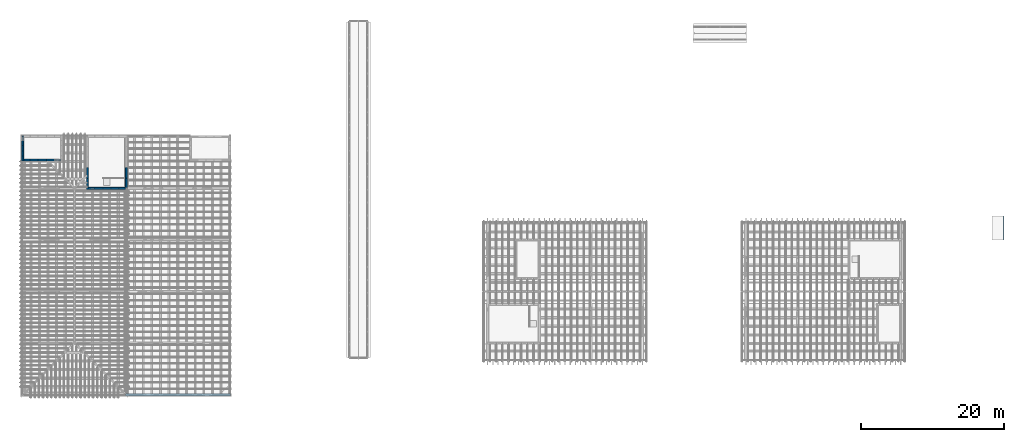
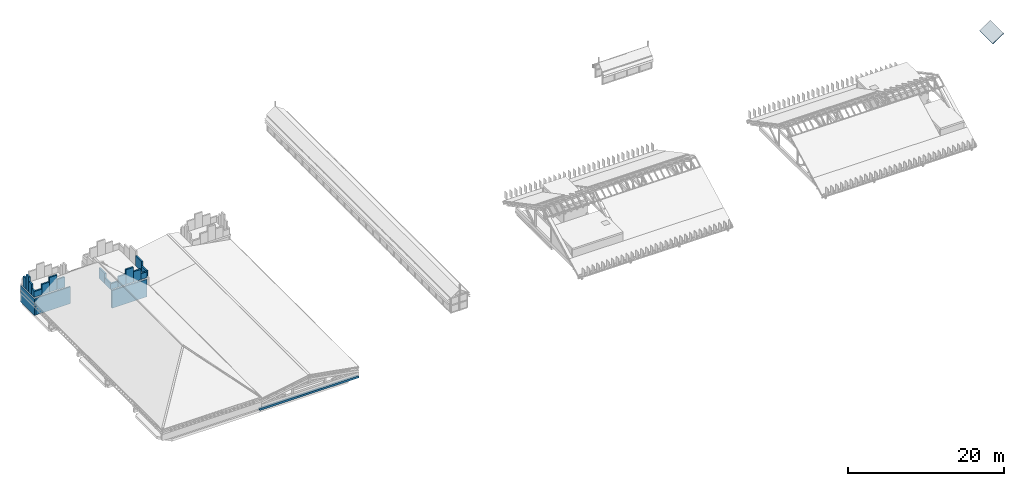
# One storey, part 16 of 28: 21 walls, 1 slab.
"""IFC4 building model written with IfcOpenShell, lengths in metres."""

from ifc_helpers import new_model, si_unit, direction, frame, frame_2d, origin, place, context, subcontext, project, spatial, polyline, rectangle, outline, extrude, material, layer, layer_set, type_object, element, save


model = new_model("IFC4")

# Units and contexts
model_context = context("Model", 3, precision=1e-05, world=origin(), true_north=direction((0.0, 1.0)))
body_context = subcontext(model_context, "Body", "Model", "MODEL_VIEW")
ifc_project = project(units=[si_unit("LENGTHUNIT", "METRE"), si_unit("AREAUNIT", "SQUARE_METRE"), si_unit("VOLUMEUNIT", "CUBIC_METRE"), si_unit("PLANEANGLEUNIT", "RADIAN"), si_unit("MASSUNIT", "GRAM", prefix="KILO")], contexts=[model_context])

# Site, building, storey
site_placement = place(None, origin())
site = spatial("IfcSite", under=ifc_project, at=site_placement, CompositionType="ELEMENT")
building_placement = place(site_placement, origin())
building = spatial("IfcBuilding", under=site, at=building_placement, Name="Mazhai Court Health Centre", CompositionType="ELEMENT")
storey_placement = place(building_placement, frame((0.0, 0.0, 18.0)))
storey = spatial("IfcBuildingStorey", under=building, at=storey_placement, Name="RF", CompositionType="ELEMENT", Elevation=18.0)

# Slab
ifc_material_1 = material(Name="CLT C24 3-ply", Category="wood")
ifc_layer_1 = layer(ifc_material_1, 0.10009765625)
ifc_layer_set_1 = layer_set([ifc_layer_1], Name="CLT C24 3-ply roof panel 100")
slab_type = type_object("IfcSlabType", Name="CLT C24 3-ply roof panel 100", PredefinedType="ROOF", material=ifc_layer_set_1)
slab_placement = place(storey_placement, frame((142.944091796875, 27.800048828125, 2.596923828125), z_axis=(-0.559163649154, 0.0, 0.82905730409), x_axis=(-0.82905730409, 0.0, -0.559163649154)))
element("IfcSlab", 1, at=slab_placement, inside=storey, type_object=slab_type, Name="Roof slab RV6-RS1", PredefinedType="ROOF", context=body_context, shape_type="SweptSolid", body=[
    extrude(outline(polyline([(0.0, 0.0), (1.9529900008276213, 0.0), (1.9529900008276213, -3.349853515625001), (0.0, -3.349853515625001), (0.0, 0.0)])), origin(), (0.0, 0.0, -1.0), 0.10009765625),
])

# Walls
ifc_material_2 = material(Name="Clay brick masonry", Category="masonry")
ifc_layer_2 = layer(ifc_material_2, 0.22998046875)
ifc_layer_set_2 = layer_set([ifc_layer_2], Name="BRICK PARAPET 230 EI 120")
wall_type_1 = type_object("IfcWallType", Name="BRICK PARAPET 230 EI 120", PredefinedType="SOLIDWALL", material=ifc_layer_set_2)
wall_1_placement = place(storey_placement, frame((15.18994140625, 34.875, 3.0), z_axis=(0.0, 0.0, 1.0), x_axis=(0.0, 1.0, 0.0)))
element("IfcWall", 2, at=wall_1_placement, inside=storey, type_object=wall_type_1, Name="PR-core-C3-head-house-slab-00", PredefinedType="SOLIDWALL", context=body_context, shape_type="SweptSolid", body=[
    extrude(rectangle(XDim=1.489990234375, YDim=0.22998046875, at=frame_2d((0.7451171875, 0.0))), origin(), (0.0, 0.0, 1.0), 0.89990234375),
])
for number, where, z_axis, x_axis, name in (
    (3, (15.18994140625, 36.364990234375, 3.0), (0.0, 0.0, 1.0), (0.0, 1.0, 0.0), "PR-core-C3-head-house-slab-01"),
    (4, (20.610107421875, 37.85498046875, 3.0), (0.0, 0.0, 1.0), (0.0, -1.0, 0.0), "PR-core-C3-head-house-slab-23"),
):
    element("IfcWall", number, at=place(storey_placement, frame(where, z_axis=z_axis, x_axis=x_axis)), inside=storey, type_object=wall_type_1, Name=name, PredefinedType="SOLIDWALL", context=body_context, shape_type="SweptSolid", body=[
        extrude(rectangle(XDim=1.489990234375, YDim=0.22998046875, at=frame_2d((0.7451171875, 0.0))), origin(), (0.0, 0.0, 1.0), 1.60009765625),
    ])
wall_2_placement = place(storey_placement, frame((20.610107421875, 36.364990234375, 3.0), z_axis=(0.0, 0.0, 1.0), x_axis=(0.0, -1.0, 0.0)))
element("IfcWall", 5, at=wall_2_placement, inside=storey, type_object=wall_type_1, Name="PR-core-C3-head-house-slab-24", PredefinedType="SOLIDWALL", context=body_context, shape_type="SweptSolid", body=[
    extrude(rectangle(XDim=1.260009765625, YDim=0.22998046875, at=frame_2d((0.6298828125, 0.0))), origin(), (0.0, 0.0, 1.0), 0.89990234375),
])
wall_3_placement = place(storey_placement, frame((20.4951171875, 34.989990234375, 3.0), z_axis=(0.0, 0.0, 1.0), x_axis=(-1.0, 0.0, 0.0)))
element("IfcWall", 6, at=wall_3_placement, inside=storey, type_object=wall_type_1, Name="PR-core-C3-head-house-slab-30", PredefinedType="SOLIDWALL", context=body_context, shape_type="SweptSolid", body=[
    extrude(rectangle(XDim=0.900146484375, YDim=0.22998046875, at=frame_2d((0.4501953125, 0.0))), origin(), (0.0, 0.0, 1.0), 0.89990234375),
])
wall_4_placement = place(storey_placement, frame((19.594970703125, 34.989990234375, 3.0), z_axis=(0.0, 0.0, 1.0), x_axis=(-1.0, 0.0, 0.0)))
element("IfcWall", 7, at=wall_4_placement, inside=storey, type_object=wall_type_1, Name="PR-core-C3-head-house-slab-31", PredefinedType="SOLIDWALL", context=body_context, shape_type="SweptSolid", body=[
    extrude(rectangle(XDim=1.1298828125, YDim=0.22998046875, at=frame_2d((0.56494140625, 0.0))), origin(), (0.0, 0.0, 1.0), 1.60009765625),
])
wall_5_placement = place(storey_placement, frame((18.465087890625, 34.989990234375, 3.0), z_axis=(0.0, 0.0, 1.0), x_axis=(-1.0, 0.0, 0.0)))
element("IfcWall", 8, at=wall_5_placement, inside=storey, type_object=wall_type_1, Name="PR-core-C3-head-house-slab-32", PredefinedType="SOLIDWALL", context=body_context, shape_type="SweptSolid", body=[
    extrude(rectangle(XDim=1.130126953125, YDim=0.22998046875, at=frame_2d((0.56494140625, 0.0))), origin(), (0.0, 0.0, 1.0), 2.300048828125),
])
wall_6_placement = place(storey_placement, frame((17.3349609375, 34.989990234375, 3.0), z_axis=(0.0, 0.0, 1.0), x_axis=(-1.0, 0.0, 0.0)))
element("IfcWall", 9, at=wall_6_placement, inside=storey, type_object=wall_type_1, Name="PR-core-C3-head-house-slab-33", PredefinedType="SOLIDWALL", context=body_context, shape_type="SweptSolid", body=[
    extrude(rectangle(XDim=1.1298828125, YDim=0.22998046875, at=frame_2d((0.56494140625, 0.0))), origin(), (0.0, 0.0, 1.0), 1.60009765625),
])
wall_7_placement = place(storey_placement, frame((16.205078125, 34.989990234375, 3.0), z_axis=(0.0, 0.0, 1.0), x_axis=(-1.0, 0.0, 0.0)))
element("IfcWall", 10, at=wall_7_placement, inside=storey, type_object=wall_type_1, Name="PR-core-C3-head-house-slab-34", PredefinedType="SOLIDWALL", context=body_context, shape_type="SweptSolid", body=[
    extrude(rectangle(XDim=1.130126953125, YDim=0.22998046875, at=frame_2d((0.56494140625, 0.0))), origin(), (0.0, 0.0, 1.0), 0.89990234375),
])
wall_8_placement = place(storey_placement, frame((6.18994140625, 38.81005859375, 2.56298828125), z_axis=(0.0, 0.0, 1.0), x_axis=(0.0, 1.0, 0.0)))
element("IfcWall", 11, at=wall_8_placement, inside=storey, type_object=wall_type_1, Name="PR-core-C3-overrun-slab-00", PredefinedType="SOLIDWALL", context=body_context, shape_type="SweptSolid", body=[
    extrude(rectangle(XDim=0.702880859375, YDim=0.22998046875, at=frame_2d((0.3515625, 0.0))), origin(), (0.0, 0.0, 1.0), 0.89990234375),
])
wall_9_placement = place(storey_placement, frame((6.18994140625, 39.512939453125, 2.56298828125), z_axis=(0.0, 0.0, 1.0), x_axis=(0.0, 1.0, 0.0)))
element("IfcWall", 12, at=wall_9_placement, inside=storey, type_object=wall_type_1, Name="PR-core-C3-overrun-slab-01", PredefinedType="SOLIDWALL", context=body_context, shape_type="SweptSolid", body=[
    extrude(rectangle(XDim=0.703125, YDim=0.22998046875, at=frame_2d((0.3515625, 0.0))), origin(), (0.0, 0.0, 1.0), 1.60009765625),
])
wall_10_placement = place(storey_placement, frame((6.18994140625, 40.216064453125, 2.56298828125), z_axis=(0.0, 0.0, 1.0), x_axis=(0.0, 1.0, 0.0)))
element("IfcWall", 13, at=wall_10_placement, inside=storey, type_object=wall_type_1, Name="PR-core-C3-overrun-slab-02", PredefinedType="SOLIDWALL", context=body_context, shape_type="SweptSolid", body=[
    extrude(rectangle(XDim=0.702880859375, YDim=0.22998046875, at=frame_2d((0.3515625, 0.0))), origin(), (0.0, 0.0, 1.0), 2.300048828125),
])
wall_11_placement = place(storey_placement, frame((6.18994140625, 40.9189453125, 2.56298828125), z_axis=(0.0, 0.0, 1.0), x_axis=(0.0, 1.0, 0.0)))
element("IfcWall", 14, at=wall_11_placement, inside=storey, type_object=wall_type_1, Name="PR-core-C3-overrun-slab-03", PredefinedType="SOLIDWALL", context=body_context, shape_type="SweptSolid", body=[
    extrude(rectangle(XDim=0.703125, YDim=0.22998046875, at=frame_2d((0.3515625, 0.0))), origin(), (0.0, 0.0, 1.0), 1.60009765625),
])
wall_12_placement = place(storey_placement, frame((10.594970703125, 38.925048828125, 2.56298828125), z_axis=(0.0, 0.0, 1.0), x_axis=(-1.0, 0.0, 0.0)))
element("IfcWall", 15, at=wall_12_placement, inside=storey, type_object=wall_type_1, Name="PR-core-C3-overrun-slab-31", PredefinedType="SOLIDWALL", context=body_context, shape_type="SweptSolid", body=[
    extrude(rectangle(XDim=1.1298828125, YDim=0.22998046875, at=frame_2d((0.56494140625, 0.0))), origin(), (0.0, 0.0, 1.0), 1.60009765625),
])
wall_13_placement = place(storey_placement, frame((9.465087890625, 38.925048828125, 2.56298828125), z_axis=(0.0, 0.0, 1.0), x_axis=(-1.0, 0.0, 0.0)))
element("IfcWall", 16, at=wall_13_placement, inside=storey, type_object=wall_type_1, Name="PR-core-C3-overrun-slab-32", PredefinedType="SOLIDWALL", context=body_context, shape_type="SweptSolid", body=[
    extrude(rectangle(XDim=1.130126953125, YDim=0.22998046875, at=frame_2d((0.56494140625, 0.0))), origin(), (0.0, 0.0, 1.0), 2.300048828125),
])
wall_14_placement = place(storey_placement, frame((8.3349609375, 38.925048828125, 2.56298828125), z_axis=(0.0, 0.0, 1.0), x_axis=(-1.0, 0.0, 0.0)))
element("IfcWall", 17, at=wall_14_placement, inside=storey, type_object=wall_type_1, Name="PR-core-C3-overrun-slab-33", PredefinedType="SOLIDWALL", context=body_context, shape_type="SweptSolid", body=[
    extrude(rectangle(XDim=1.1298828125, YDim=0.22998046875, at=frame_2d((0.56494140625, 0.0))), origin(), (0.0, 0.0, 1.0), 1.60009765625),
])
wall_15_placement = place(storey_placement, frame((7.205078125, 38.925048828125, 2.56298828125), z_axis=(0.0, 0.0, 1.0), x_axis=(-1.0, 0.0, 0.0)))
element("IfcWall", 18, at=wall_15_placement, inside=storey, type_object=wall_type_1, Name="PR-core-C3-overrun-slab-34", PredefinedType="SOLIDWALL", context=body_context, shape_type="SweptSolid", body=[
    extrude(rectangle(XDim=1.130126953125, YDim=0.22998046875, at=frame_2d((0.56494140625, 0.0))), origin(), (0.0, 0.0, 1.0), 0.89990234375),
])
ifc_material_3 = material(Name="Concrete M40", Category="concrete")
ifc_layer_3 = layer(ifc_material_3, 0.25)
ifc_layer_set_3 = layer_set([ifc_layer_3], Name="RC HEAD-HOUSE WALL 250 M40")
wall_type_2 = type_object("IfcWallType", Name="RC HEAD-HOUSE WALL 250 M40", PredefinedType="SHEAR", material=ifc_layer_set_3)
wall_16_placement = place(storey_placement, frame((15.324951171875, 35.0, 0.0), z_axis=(0.0, 0.0, 1.0), x_axis=(1.0, 0.0, 0.0)))
element("IfcWall", 19, at=wall_16_placement, inside=storey, type_object=wall_type_2, Name="core-C3-head-house-w2", PredefinedType="SHEAR", context=body_context, shape_type="SweptSolid", body=[
    extrude(rectangle(XDim=5.150146484375, YDim=0.25, at=frame_2d((2.5751953125, 0.0))), origin(), (0.0, 0.0, 1.0), 2.75),
])
ifc_material_4 = material(Name="Concrete M40", Category="concrete")
ifc_layer_4 = layer(ifc_material_4, 0.199951171875)
ifc_layer_set_4 = layer_set([ifc_layer_4], Name="RC SHAFT WALL 200 M40")
wall_type_3 = type_object("IfcWallType", Name="RC SHAFT WALL 200 M40", PredefinedType="SHEAR", material=ifc_layer_set_4)
wall_17_placement = place(storey_placement, frame((6.199951171875, 38.81005859375, -0.300048828125), z_axis=(0.0, 0.0, 1.0), x_axis=(0.0, 1.0, 0.0)))
element("IfcWall", 20, at=wall_17_placement, inside=storey, type_object=wall_type_3, Name="core-C3-overrun-w0", PredefinedType="SHEAR", context=body_context, shape_type="SweptSolid", body=[
    extrude(rectangle(XDim=3.514892578125, YDim=0.199951171875, at=frame_2d((1.75732421875, 0.0))), origin(), (0.0, 0.0, 1.0), 2.613037109375),
])
wall_18_placement = place(storey_placement, frame((6.324951171875, 38.93505859375, -0.300048828125), z_axis=(0.0, 0.0, 1.0), x_axis=(1.0, 0.0, 0.0)))
element("IfcWall", 21, at=wall_18_placement, inside=storey, type_object=wall_type_3, Name="core-C3-overrun-w2", PredefinedType="SHEAR", context=body_context, shape_type="SweptSolid", body=[
    extrude(rectangle(XDim=5.150146484375, YDim=0.199951171875, at=frame_2d((2.5751953125, 0.0))), origin(), (0.0, 0.0, 1.0), 2.613037109375),
])
ifc_material_5 = material(Name="Concrete M40", Category="concrete")
ifc_layer_5 = layer(ifc_material_5, 0.300048828125)
ifc_layer_set_5 = layer_set([ifc_layer_5], Name="RC UPSTAND WALL 300 M40")
wall_type_4 = type_object("IfcWallType", Name="RC UPSTAND WALL 300 M40", PredefinedType="SHEAR", material=ifc_layer_set_5)
wall_19_placement = place(storey_placement, frame((35.1201171875, 6.199951171875, -0.300048828125), z_axis=(0.0, 0.0, 1.0), x_axis=(-1.0, 0.0, 0.0)))
element("IfcWall", 22, at=wall_19_placement, inside=storey, type_object=wall_type_4, Name="Truss upstand TV5", PredefinedType="SHEAR", context=body_context, shape_type="SweptSolid", body=[
    extrude(rectangle(XDim=14.64013671875, YDim=0.300048828125, at=frame_2d((7.320068359375, 0.0))), origin(), (0.0, 0.0, 1.0), 0.300048828125),
])

save(model, "model.ifc")
